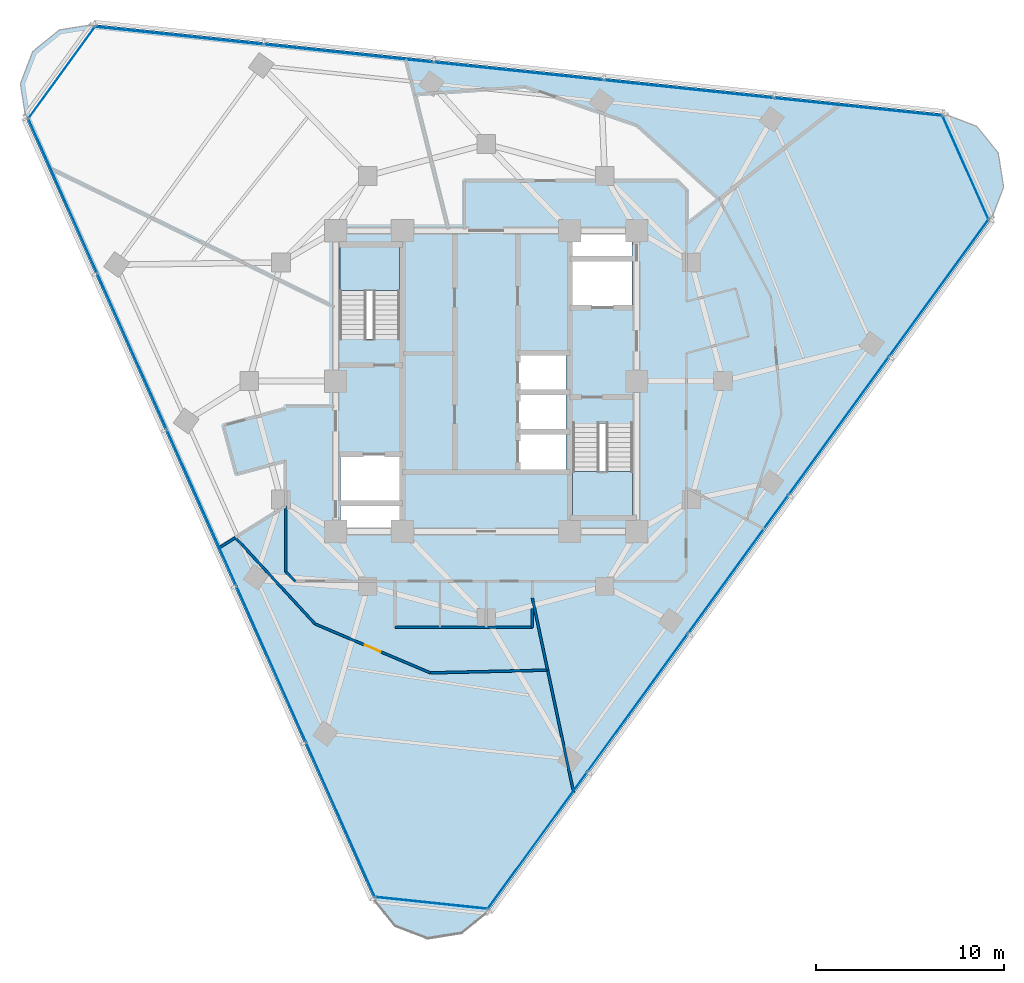
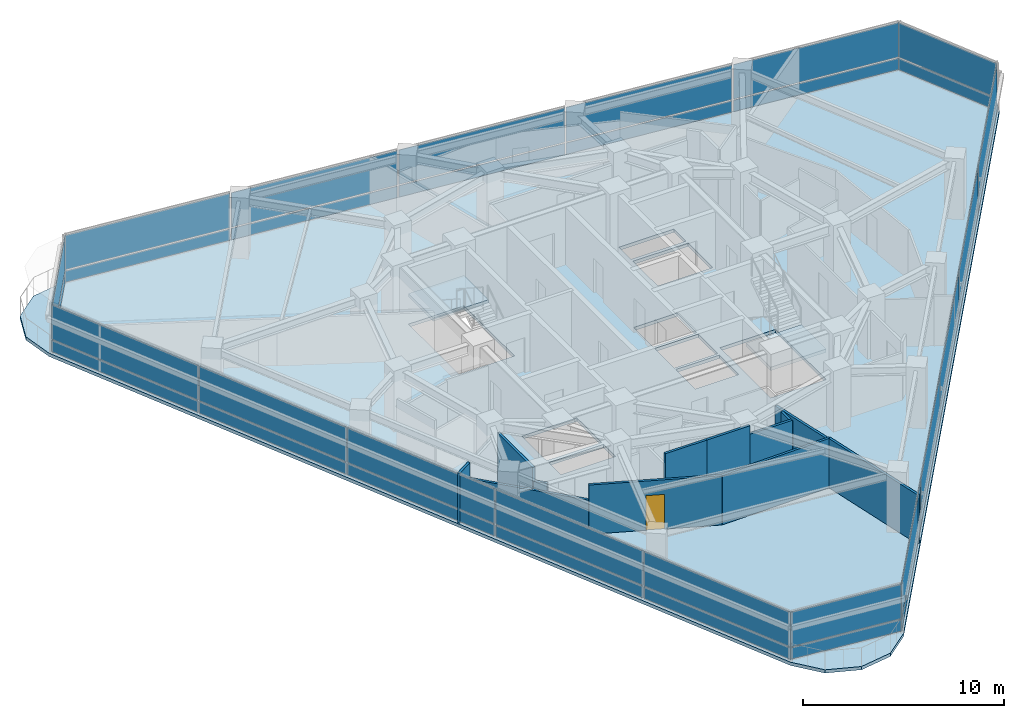
# One storey, part 7 of 14: 36 plates, 12 walls, 3 slabs, 1 door, 1 opening, 8 elements without a shape of their own.
"""IFC4 building model written with IfcOpenShell, lengths in metres."""

from ifc_helpers import new_model, si_unit, direction, frame, frame_2d, origin, origin_2d, place, context, subcontext, project, spatial, polyline, rectangle, outline, extrude, material, layer, layer_set, type_object, element, fill, aggregate, save


model = new_model("IFC4")

# Units and contexts
model_context = context("Model", 3, precision=1e-05, world=origin(), true_north=direction((0.0, 1.0)))
body_context = subcontext(model_context, "Body", "Model", "MODEL_VIEW")
ifc_project = project(units=[si_unit("LENGTHUNIT", "METRE"), si_unit("AREAUNIT", "SQUARE_METRE"), si_unit("VOLUMEUNIT", "CUBIC_METRE"), si_unit("PLANEANGLEUNIT", "RADIAN"), si_unit("MASSUNIT", "GRAM", prefix="KILO")], contexts=[model_context])

# Site, building, storey
site_placement = place(None, origin())
site = spatial("IfcSite", under=ifc_project, at=site_placement, CompositionType="ELEMENT")
building_placement = place(site_placement, origin())
building = spatial("IfcBuilding", under=site, at=building_placement, Name="Terralouvre Media Tower", CompositionType="ELEMENT")
storey_placement = place(building_placement, frame((0.0, 0.0, 222.60009765625)))
storey = spatial("IfcBuildingStorey", under=building, at=storey_placement, Name="L57", CompositionType="ELEMENT", Elevation=222.60009765625)

# Slab
ifc_material_1 = material(Name="Concrete C40/50", Category="concrete")
ifc_layer_1 = layer(ifc_material_1, 0.199951171875, Name="Composite Tower Floor Slab S-TYP200")
ifc_layer_set_1 = layer_set([ifc_layer_1], Name="Concrete C40/50")
slab_type_1 = type_object("IfcSlabType", Name="Composite Tower Floor Slab S-TYP200", PredefinedType="FLOOR", material=ifc_layer_set_1)
slab_1_placement = place(storey_placement, frame((0.0, 0.0, -0.2001953125), z_axis=(0.0, 0.0, 1.0), x_axis=(0.587785252292, 0.809016994375, 0.0)))
element("IfcSlab", 1, at=slab_1_placement, inside=storey, type_object=slab_type_1, Name="L57 Structural Floor Slab", PredefinedType="FLOOR", context=body_context, shape_type="SweptSolid", body=[
    extrude(outline(polyline([(-25.824462890625, -11.359619140625), (-26.300048828125, -13.134765625), (-25.824462890625, -14.90966796875), (-24.52490234375, -16.209228515625), (-22.75, -16.684814453125), (22.75, -16.684814453125), (24.52490234375, -16.209228515625), (25.824462890625, -14.90966796875), (26.300048828125, -13.134765625), (25.824462890625, -11.359619140625), (3.074462890625, 28.04443359375), (1.77490234375, 29.34375), (0.0, 29.8193359375), (-1.77490234375, 29.34375), (-3.074462890625, 28.04443359375), (-25.824462890625, -11.359619140625)]), holes=[polyline([(-8.043212890625, -0.157958984375), (-9.01416015625, -0.86328125), (-10.86572265625, 1.68505859375), (-9.894775390625, 2.390380859375), (-8.043212890625, -0.157958984375)]), polyline([(-5.8994140625, 1.399658203125), (-7.881591796875, -0.040283203125), (-9.733154296875, 2.508056640625), (-7.7509765625, 3.9482421875), (-5.8994140625, 1.399658203125)]), polyline([(-3.169677734375, -7.98876953125), (0.887451171875, -5.041015625), (2.7568359375, -7.61376953125), (-1.300537109375, -10.5615234375), (-3.169677734375, -7.98876953125)]), polyline([(0.2490234375, -5.072265625), (-1.320556640625, -6.212646484375), (-2.7900390625, -4.190185546875), (-1.220458984375, -3.0498046875), (0.2490234375, -5.072265625)]), polyline([(1.947998046875, -3.838134765625), (0.37841796875, -4.978271484375), (-1.091064453125, -2.955810546875), (0.478515625, -1.8154296875), (1.947998046875, -3.838134765625)]), polyline([(3.64697265625, -2.603759765625), (2.077392578125, -3.743896484375), (0.60791015625, -1.721435546875), (2.177490234375, -0.5810546875), (3.64697265625, -2.603759765625)]), polyline([(3.169677734375, 7.98876953125), (-0.887451171875, 5.041015625), (-2.7568359375, 7.61376953125), (1.300537109375, 10.5615234375), (3.169677734375, 7.98876953125)]), polyline([(7.7509765625, -3.9482421875), (5.8994140625, -1.399658203125), (7.881591796875, 0.040283203125), (9.733154296875, -2.508056640625), (7.7509765625, -3.9482421875)]), polyline([(9.894775390625, -2.390380859375), (8.043212890625, 0.157958984375), (9.01416015625, 0.86328125), (10.86572265625, -1.68505859375), (9.894775390625, -2.390380859375)])]), origin(), (0.0, 0.0, 1.0), 0.2001953125),
])

# Stair, slab
ifc_material_2 = material(Name="Concrete C45/55", Category="concrete")
stair_type_1 = type_object("IfcStairType", Name="Dogleg Stair Assembly ST-01", PredefinedType="HALF_TURN_STAIR", material=ifc_material_2)
stair_1_placement = place(storey_placement, origin())
stair_1 = element("IfcStair", 2, at=stair_1_placement, inside=storey, type_object=stair_type_1, Name="L57 Core Pressurised Exit Stair ST-01", PredefinedType="HALF_TURN_STAIR")
ifc_material_3 = material(Name="Concrete C45/55", Category="concrete")
ifc_layer_2 = layer(ifc_material_3, 0.199951171875, Name="Reinforced Concrete Stair Half-Landing SL-LD1")
ifc_layer_set_2 = layer_set([ifc_layer_2], Name="Concrete C45/55")
slab_type_2 = type_object("IfcSlabType", Name="Reinforced Concrete Stair Half-Landing SL-LD1", PredefinedType="LANDING", material=ifc_layer_set_2)
slab_2_placement = place(storey_placement, frame((0.0, 0.0, 1.64990234375)))
slab_2 = element("IfcSlab", 3, at=slab_2_placement, type_object=slab_type_2, Name="ST-01 landing 1", PredefinedType="LANDING", context=body_context, shape_type="SweptSolid", body=[
    extrude(outline(polyline([(-4.60009765625, 4.820068359375), (-4.60009765625, 7.260009765625), (-7.780029296875, 7.260009765625), (-7.780029296875, 4.820068359375), (-4.60009765625, 4.820068359375)])), origin(), (0.0, 0.0, 1.0), 0.199951171875),
])
aggregate(stair_1, [slab_2])

ifc_material_4 = material(Name="Concrete C45/55", Category="concrete")
stair_type_2 = type_object("IfcStairType", Name="Dogleg Stair Assembly ST-02", PredefinedType="HALF_TURN_STAIR", material=ifc_material_4)
stair_2_placement = place(storey_placement, origin())
stair_2 = element("IfcStair", 4, at=stair_2_placement, inside=storey, type_object=stair_type_2, Name="L57 Core Pressurised Exit Stair ST-02", PredefinedType="HALF_TURN_STAIR")
slab_3_placement = place(storey_placement, frame((0.0, 0.0, 1.64990234375)))
slab_3 = element("IfcSlab", 5, at=slab_3_placement, type_object=slab_type_2, Name="ST-02 landing 1", PredefinedType="LANDING", context=body_context, shape_type="SweptSolid", body=[
    extrude(outline(polyline([(4.60009765625, -4.820068359375), (4.60009765625, -7.260009765625), (7.780029296875, -7.260009765625), (7.780029296875, -4.820068359375), (4.60009765625, -4.820068359375)])), origin(), (0.0, 0.0, 1.0), 0.199951171875),
])
aggregate(stair_2, [slab_3])

# Curtain wall, plates
ifc_material_5 = material(Name="Low-iron laminated double glazing with solar-control coating", Category="glass")
ifc_layer_3 = layer(ifc_material_5, 0.1650390625, Name="Rounded Wind-Corner Curved Glazing CW-04")
ifc_layer_set_3 = layer_set([ifc_layer_3], Name="Low-iron laminated double glazing with solar-control coating")
curtain_wall_type_1 = type_object("IfcCurtainWallType", Name="Rounded Wind-Corner Curved Glazing CW-04", PredefinedType="NOTDEFINED", material=ifc_layer_set_3)
curtain_wall_1_placement = place(storey_placement, origin())
curtain_wall_1 = element("IfcCurtainWall", 6, at=curtain_wall_1_placement, inside=storey, type_object=curtain_wall_type_1, Name="L57 Rounded Wind-Corner Curtain Wall C0", PredefinedType="NOTDEFINED")
ifc_material_6 = material(Name="Low-iron laminated double glazing with solar-control coating", Category="glass")
ifc_layer_4 = layer(ifc_material_6, 0.0400390625, Name="Rounded Corner Laminated Vision Panel CWP-03")
ifc_layer_set_4 = layer_set([ifc_layer_4], Name="Low-iron laminated double glazing with solar-control coating")
plate_type_1 = type_object("IfcPlateType", Name="Rounded Corner Laminated Vision Panel CWP-03", PredefinedType="CURTAIN_PANEL", material=ifc_layer_set_4)
plate_1_placement = place(storey_placement, frame((-2.916748046875, -27.75146484375, 0.074951171875), z_axis=(0.0, 0.0, 1.0), x_axis=(0.994521944551, -0.104527995322, 0.0)))
plate_1 = element("IfcPlate", 7, at=plate_1_placement, type_object=plate_type_1, Name="CW-04 panel 1.1", PredefinedType="CURTAIN_PANEL", context=body_context, shape_type="SweptSolid", body=[
    extrude(rectangle(XDim=5.998779296875, YDim=0.035888671875, at=origin_2d()), origin(), (0.0, 0.0, 1.0), 0.6875),
])
plate_2_placement = place(storey_placement, frame((-2.916748046875, -27.75146484375, 0.83740234375), z_axis=(0.0, 0.0, 1.0), x_axis=(0.994521944551, -0.104527995322, 0.0)))
plate_2 = element("IfcPlate", 8, at=plate_2_placement, type_object=plate_type_1, Name="CW-04 panel 1.2", PredefinedType="CURTAIN_PANEL", context=body_context, shape_type="SweptSolid", body=[
    extrude(rectangle(XDim=5.998779296875, YDim=0.035888671875, at=origin_2d()), origin(), (0.0, 0.0, 1.0), 2.08740234375),
])
aggregate(curtain_wall_1, [plate_1, plate_2])

curtain_wall_2_placement = place(storey_placement, origin())
curtain_wall_2 = element("IfcCurtainWall", 9, at=curtain_wall_2_placement, inside=storey, type_object=curtain_wall_type_1, Name="L57 Rounded Wind-Corner Curtain Wall C1", PredefinedType="NOTDEFINED")
plate_3_placement = place(storey_placement, frame((25.491943359375, 11.349853515625, 0.074951171875), z_axis=(0.0, 0.0, 1.0), x_axis=(-0.406737441315, 0.913545102243, 0.0)))
plate_3 = element("IfcPlate", 10, at=plate_3_placement, type_object=plate_type_1, Name="CW-04 panel 1.1", PredefinedType="CURTAIN_PANEL", context=body_context, shape_type="SweptSolid", body=[
    extrude(rectangle(XDim=5.998779296875, YDim=0.035888671875, at=origin_2d()), origin(), (0.0, 0.0, 1.0), 0.6875),
])
plate_4_placement = place(storey_placement, frame((25.491943359375, 11.349853515625, 0.83740234375), z_axis=(0.0, 0.0, 1.0), x_axis=(-0.406737441315, 0.913545102243, 0.0)))
plate_4 = element("IfcPlate", 11, at=plate_4_placement, type_object=plate_type_1, Name="CW-04 panel 1.2", PredefinedType="CURTAIN_PANEL", context=body_context, shape_type="SweptSolid", body=[
    extrude(rectangle(XDim=5.998779296875, YDim=0.035888671875, at=origin_2d()), origin(), (0.0, 0.0, 1.0), 2.08740234375),
])
aggregate(curtain_wall_2, [plate_3, plate_4])

curtain_wall_3_placement = place(storey_placement, origin())
curtain_wall_3 = element("IfcCurtainWall", 12, at=curtain_wall_3_placement, inside=storey, type_object=curtain_wall_type_1, Name="L57 Rounded Wind-Corner Curtain Wall C2", PredefinedType="NOTDEFINED")
plate_5_placement = place(storey_placement, frame((-22.5751953125, 16.40185546875, 0.074951171875), z_axis=(0.0, 0.0, 1.0), x_axis=(-0.58778588998, -0.809016531067, 0.0)))
plate_5 = element("IfcPlate", 13, at=plate_5_placement, type_object=plate_type_1, Name="CW-04 panel 1.1", PredefinedType="CURTAIN_PANEL", context=body_context, shape_type="SweptSolid", body=[
    extrude(rectangle(XDim=5.998779296875, YDim=0.035888671875, at=origin_2d()), origin(), (0.0, 0.0, 1.0), 0.6875),
])
plate_6_placement = place(storey_placement, frame((-22.5751953125, 16.40185546875, 0.83740234375), z_axis=(0.0, 0.0, 1.0), x_axis=(-0.58778588998, -0.809016531067, 0.0)))
plate_6 = element("IfcPlate", 14, at=plate_6_placement, type_object=plate_type_1, Name="CW-04 panel 1.2", PredefinedType="CURTAIN_PANEL", context=body_context, shape_type="SweptSolid", body=[
    extrude(rectangle(XDim=5.998779296875, YDim=0.035888671875, at=origin_2d()), origin(), (0.0, 0.0, 1.0), 2.08740234375),
])
aggregate(curtain_wall_3, [plate_5, plate_6])

ifc_material_7 = material(Name="Low-iron laminated double glazing with solar-control coating", Category="glass")
ifc_layer_5 = layer(ifc_material_7, 0.1650390625, Name="Upper Executive Tower Curtain Wall CW-05")
ifc_layer_set_5 = layer_set([ifc_layer_5], Name="Low-iron laminated double glazing with solar-control coating")
curtain_wall_type_2 = type_object("IfcCurtainWallType", Name="Upper Executive Tower Curtain Wall CW-05", PredefinedType="NOTDEFINED", material=ifc_layer_set_5)
curtain_wall_4_placement = place(storey_placement, origin())
curtain_wall_4 = element("IfcCurtainWall", 15, at=curtain_wall_4_placement, inside=storey, type_object=curtain_wall_type_2, Name="L57 Facade Curtain Wall F0", PredefinedType="NOTDEFINED")
ifc_material_8 = material(Name="Low-iron laminated double glazing with solar-control coating", Category="glass")
ifc_layer_6 = layer(ifc_material_8, 0.035888671875, Name="Vision Double-Glazed Unit CWP-01")
ifc_layer_set_6 = layer_set([ifc_layer_6], Name="Low-iron laminated double glazing with solar-control coating")
plate_type_2 = type_object("IfcPlateType", Name="Vision Double-Glazed Unit CWP-01", PredefinedType="CURTAIN_PANEL", material=ifc_layer_set_6)
plate_7_placement = place(storey_placement, frame((2.71435546875, -24.4453125, 0.074951171875), z_axis=(0.0, 0.0, 1.0), x_axis=(0.587785300879, 0.809016959074, 0.0)))
plate_7 = element("IfcPlate", 16, at=plate_7_placement, type_object=plate_type_2, Name="CW-05 panel 1.1", PredefinedType="CURTAIN_PANEL", context=body_context, shape_type="SweptSolid", body=[
    extrude(rectangle(XDim=8.987548828125, YDim=0.035888671875, at=origin_2d()), origin(), (0.0, 0.0, 1.0), 0.6875),
])
plate_8_placement = place(storey_placement, frame((2.71435546875, -24.4453125, 0.83740234375), z_axis=(0.0, 0.0, 1.0), x_axis=(0.587785300879, 0.809016959074, 0.0)))
plate_8 = element("IfcPlate", 17, at=plate_8_placement, type_object=plate_type_2, Name="CW-05 panel 1.2", PredefinedType="CURTAIN_PANEL", context=body_context, shape_type="SweptSolid", body=[
    extrude(rectangle(XDim=8.987548828125, YDim=0.035888671875, at=origin_2d()), origin(), (0.0, 0.0, 1.0), 2.08740234375),
])
plate_9_placement = place(storey_placement, frame((8.05224609375, -17.0986328125, 0.074951171875), z_axis=(0.0, 0.0, 1.0), x_axis=(0.587785300879, 0.809016959074, 0.0)))
plate_9 = element("IfcPlate", 18, at=plate_9_placement, type_object=plate_type_2, Name="CW-05 panel 2.1", PredefinedType="CURTAIN_PANEL", context=body_context, shape_type="SweptSolid", body=[
    extrude(rectangle(XDim=9.02490234375, YDim=0.035888671875, at=origin_2d()), origin(), (0.0, 0.0, 1.0), 0.6875),
])
plate_10_placement = place(storey_placement, frame((8.05224609375, -17.0986328125, 0.83740234375), z_axis=(0.0, 0.0, 1.0), x_axis=(0.587785300879, 0.809016959074, 0.0)))
plate_10 = element("IfcPlate", 19, at=plate_10_placement, type_object=plate_type_2, Name="CW-05 panel 2.2", PredefinedType="CURTAIN_PANEL", context=body_context, shape_type="SweptSolid", body=[
    extrude(rectangle(XDim=9.02490234375, YDim=0.035888671875, at=origin_2d()), origin(), (0.0, 0.0, 1.0), 2.08740234375),
])
plate_11_placement = place(storey_placement, frame((13.401123046875, -9.736572265625, 0.074951171875), z_axis=(0.0, 0.0, 1.0), x_axis=(0.587785300879, 0.809016959074, 0.0)))
plate_11 = element("IfcPlate", 20, at=plate_11_placement, type_object=plate_type_2, Name="CW-05 panel 3.1", PredefinedType="CURTAIN_PANEL", context=body_context, shape_type="SweptSolid", body=[
    extrude(rectangle(XDim=9.02490234375, YDim=0.035888671875, at=origin_2d()), origin(), (0.0, 0.0, 1.0), 0.6875),
])
plate_12_placement = place(storey_placement, frame((13.401123046875, -9.736572265625, 0.83740234375), z_axis=(0.0, 0.0, 1.0), x_axis=(0.587785300879, 0.809016959074, 0.0)))
plate_12 = element("IfcPlate", 21, at=plate_12_placement, type_object=plate_type_2, Name="CW-05 panel 3.2", PredefinedType="CURTAIN_PANEL", context=body_context, shape_type="SweptSolid", body=[
    extrude(rectangle(XDim=9.02490234375, YDim=0.035888671875, at=origin_2d()), origin(), (0.0, 0.0, 1.0), 2.08740234375),
])
plate_13_placement = place(storey_placement, frame((18.75, -2.37451171875, 0.074951171875), z_axis=(0.0, 0.0, 1.0), x_axis=(0.587785300879, 0.809016959074, 0.0)))
plate_13 = element("IfcPlate", 22, at=plate_13_placement, type_object=plate_type_2, Name="CW-05 panel 4.1", PredefinedType="CURTAIN_PANEL", context=body_context, shape_type="SweptSolid", body=[
    extrude(rectangle(XDim=9.02490234375, YDim=0.035888671875, at=origin_2d()), origin(), (0.0, 0.0, 1.0), 0.6875),
])
plate_14_placement = place(storey_placement, frame((18.75, -2.37451171875, 0.83740234375), z_axis=(0.0, 0.0, 1.0), x_axis=(0.587785300879, 0.809016959074, 0.0)))
plate_14 = element("IfcPlate", 23, at=plate_14_placement, type_object=plate_type_2, Name="CW-05 panel 4.2", PredefinedType="CURTAIN_PANEL", context=body_context, shape_type="SweptSolid", body=[
    extrude(rectangle(XDim=9.02490234375, YDim=0.035888671875, at=origin_2d()), origin(), (0.0, 0.0, 1.0), 2.08740234375),
])
plate_15_placement = place(storey_placement, frame((24.087890625, 4.972412109375, 0.074951171875), z_axis=(0.0, 0.0, 1.0), x_axis=(0.587785300879, 0.809016959074, 0.0)))
plate_15 = element("IfcPlate", 24, at=plate_15_placement, type_object=plate_type_2, Name="CW-05 panel 5.1", PredefinedType="CURTAIN_PANEL", context=body_context, shape_type="SweptSolid", body=[
    extrude(rectangle(XDim=8.987548828125, YDim=0.035888671875, at=origin_2d()), origin(), (0.0, 0.0, 1.0), 0.6875),
])
plate_16_placement = place(storey_placement, frame((24.087890625, 4.972412109375, 0.83740234375), z_axis=(0.0, 0.0, 1.0), x_axis=(0.587785300879, 0.809016959074, 0.0)))
plate_16 = element("IfcPlate", 25, at=plate_16_placement, type_object=plate_type_2, Name="CW-05 panel 5.2", PredefinedType="CURTAIN_PANEL", context=body_context, shape_type="SweptSolid", body=[
    extrude(rectangle(XDim=8.987548828125, YDim=0.035888671875, at=origin_2d()), origin(), (0.0, 0.0, 1.0), 2.08740234375),
])
aggregate(curtain_wall_4, [plate_7, plate_8, plate_9, plate_10, plate_11, plate_12, plate_13, plate_14, plate_15, plate_16])

curtain_wall_5_placement = place(storey_placement, origin())
curtain_wall_5 = element("IfcCurtainWall", 26, at=curtain_wall_5_placement, inside=storey, type_object=curtain_wall_type_2, Name="L57 Facade Curtain Wall F1", PredefinedType="NOTDEFINED")
plate_17_placement = place(storey_placement, frame((19.813232421875, 14.573486328125, 0.074951171875), z_axis=(0.0, 0.0, 1.0), x_axis=(-0.994521885028, 0.104528561651, 0.0)))
plate_17 = element("IfcPlate", 27, at=plate_17_placement, type_object=plate_type_2, Name="CW-05 panel 1.1", PredefinedType="CURTAIN_PANEL", context=body_context, shape_type="SweptSolid", body=[
    extrude(rectangle(XDim=8.987548828125, YDim=0.035888671875, at=origin_2d()), origin(), (0.0, 0.0, 1.0), 0.6875),
])
plate_18_placement = place(storey_placement, frame((19.813232421875, 14.573486328125, 0.83740234375), z_axis=(0.0, 0.0, 1.0), x_axis=(-0.994521885028, 0.104528561651, 0.0)))
plate_18 = element("IfcPlate", 28, at=plate_18_placement, type_object=plate_type_2, Name="CW-05 panel 1.2", PredefinedType="CURTAIN_PANEL", context=body_context, shape_type="SweptSolid", body=[
    extrude(rectangle(XDim=8.987548828125, YDim=0.035888671875, at=origin_2d()), origin(), (0.0, 0.0, 1.0), 2.08740234375),
])
plate_19_placement = place(storey_placement, frame((10.78173828125, 15.522705078125, 0.074951171875), z_axis=(0.0, 0.0, 1.0), x_axis=(-0.994521885028, 0.104528561651, 0.0)))
plate_19 = element("IfcPlate", 29, at=plate_19_placement, type_object=plate_type_2, Name="CW-05 panel 2.1", PredefinedType="CURTAIN_PANEL", context=body_context, shape_type="SweptSolid", body=[
    extrude(rectangle(XDim=9.02490234375, YDim=0.035888671875, at=origin_2d()), origin(), (0.0, 0.0, 1.0), 0.6875),
])
plate_20_placement = place(storey_placement, frame((10.78173828125, 15.522705078125, 0.83740234375), z_axis=(0.0, 0.0, 1.0), x_axis=(-0.994521885028, 0.104528561651, 0.0)))
plate_20 = element("IfcPlate", 30, at=plate_20_placement, type_object=plate_type_2, Name="CW-05 panel 2.2", PredefinedType="CURTAIN_PANEL", context=body_context, shape_type="SweptSolid", body=[
    extrude(rectangle(XDim=9.02490234375, YDim=0.035888671875, at=origin_2d()), origin(), (0.0, 0.0, 1.0), 2.08740234375),
])
plate_21_placement = place(storey_placement, frame((1.7314453125, 16.473876953125, 0.074951171875), z_axis=(0.0, 0.0, 1.0), x_axis=(-0.994521885028, 0.104528561651, 0.0)))
plate_21 = element("IfcPlate", 31, at=plate_21_placement, type_object=plate_type_2, Name="CW-05 panel 3.1", PredefinedType="CURTAIN_PANEL", context=body_context, shape_type="SweptSolid", body=[
    extrude(rectangle(XDim=9.02490234375, YDim=0.035888671875, at=origin_2d()), origin(), (0.0, 0.0, 1.0), 0.6875),
])
plate_22_placement = place(storey_placement, frame((1.7314453125, 16.473876953125, 0.83740234375), z_axis=(0.0, 0.0, 1.0), x_axis=(-0.994521885028, 0.104528561651, 0.0)))
plate_22 = element("IfcPlate", 32, at=plate_22_placement, type_object=plate_type_2, Name="CW-05 panel 3.2", PredefinedType="CURTAIN_PANEL", context=body_context, shape_type="SweptSolid", body=[
    extrude(rectangle(XDim=9.02490234375, YDim=0.035888671875, at=origin_2d()), origin(), (0.0, 0.0, 1.0), 2.08740234375),
])
plate_23_placement = place(storey_placement, frame((-7.318603515625, 17.42529296875, 0.074951171875), z_axis=(0.0, 0.0, 1.0), x_axis=(-0.994521885028, 0.104528561651, 0.0)))
plate_23 = element("IfcPlate", 33, at=plate_23_placement, type_object=plate_type_2, Name="CW-05 panel 4.1", PredefinedType="CURTAIN_PANEL", context=body_context, shape_type="SweptSolid", body=[
    extrude(rectangle(XDim=9.02490234375, YDim=0.035888671875, at=origin_2d()), origin(), (0.0, 0.0, 1.0), 0.6875),
])
plate_24_placement = place(storey_placement, frame((-7.318603515625, 17.42529296875, 0.83740234375), z_axis=(0.0, 0.0, 1.0), x_axis=(-0.994521885028, 0.104528561651, 0.0)))
plate_24 = element("IfcPlate", 34, at=plate_24_placement, type_object=plate_type_2, Name="CW-05 panel 4.2", PredefinedType="CURTAIN_PANEL", context=body_context, shape_type="SweptSolid", body=[
    extrude(rectangle(XDim=9.02490234375, YDim=0.035888671875, at=origin_2d()), origin(), (0.0, 0.0, 1.0), 2.08740234375),
])
plate_25_placement = place(storey_placement, frame((-16.35009765625, 18.37451171875, 0.074951171875), z_axis=(0.0, 0.0, 1.0), x_axis=(-0.994521885028, 0.104528561651, 0.0)))
plate_25 = element("IfcPlate", 35, at=plate_25_placement, type_object=plate_type_2, Name="CW-05 panel 5.1", PredefinedType="CURTAIN_PANEL", context=body_context, shape_type="SweptSolid", body=[
    extrude(rectangle(XDim=8.987548828125, YDim=0.035888671875, at=origin_2d()), origin(), (0.0, 0.0, 1.0), 0.6875),
])
plate_26_placement = place(storey_placement, frame((-16.35009765625, 18.37451171875, 0.83740234375), z_axis=(0.0, 0.0, 1.0), x_axis=(-0.994521885028, 0.104528561651, 0.0)))
plate_26 = element("IfcPlate", 36, at=plate_26_placement, type_object=plate_type_2, Name="CW-05 panel 5.2", PredefinedType="CURTAIN_PANEL", context=body_context, shape_type="SweptSolid", body=[
    extrude(rectangle(XDim=8.987548828125, YDim=0.035888671875, at=origin_2d()), origin(), (0.0, 0.0, 1.0), 2.08740234375),
])
aggregate(curtain_wall_5, [plate_17, plate_18, plate_19, plate_20, plate_21, plate_22, plate_23, plate_24, plate_25, plate_26])

curtain_wall_6_placement = place(storey_placement, origin())
curtain_wall_6 = element("IfcCurtainWall", 37, at=curtain_wall_6_placement, inside=storey, type_object=curtain_wall_type_2, Name="L57 Facade Curtain Wall F2", PredefinedType="NOTDEFINED")
plate_27_placement = place(storey_placement, frame((-22.527587890625, 9.871826171875, 0.074951171875), z_axis=(0.0, 0.0, 1.0), x_axis=(0.406736679636, -0.913545441365, 0.0)))
plate_27 = element("IfcPlate", 38, at=plate_27_placement, type_object=plate_type_2, Name="CW-05 panel 1.1", PredefinedType="CURTAIN_PANEL", context=body_context, shape_type="SweptSolid", body=[
    extrude(rectangle(XDim=8.987548828125, YDim=0.035888671875, at=origin_2d()), origin(), (0.0, 0.0, 1.0), 0.6875),
])
plate_28_placement = place(storey_placement, frame((-22.527587890625, 9.871826171875, 0.83740234375), z_axis=(0.0, 0.0, 1.0), x_axis=(0.406736679636, -0.913545441365, 0.0)))
plate_28 = element("IfcPlate", 39, at=plate_28_placement, type_object=plate_type_2, Name="CW-05 panel 1.2", PredefinedType="CURTAIN_PANEL", context=body_context, shape_type="SweptSolid", body=[
    extrude(rectangle(XDim=8.987548828125, YDim=0.035888671875, at=origin_2d()), origin(), (0.0, 0.0, 1.0), 2.08740234375),
])
plate_29_placement = place(storey_placement, frame((-18.833984375, 1.57568359375, 0.074951171875), z_axis=(0.0, 0.0, 1.0), x_axis=(0.406736679636, -0.913545441365, 0.0)))
plate_29 = element("IfcPlate", 40, at=plate_29_placement, type_object=plate_type_2, Name="CW-05 panel 2.1", PredefinedType="CURTAIN_PANEL", context=body_context, shape_type="SweptSolid", body=[
    extrude(rectangle(XDim=9.02490234375, YDim=0.035888671875, at=origin_2d()), origin(), (0.0, 0.0, 1.0), 0.6875),
])
plate_30_placement = place(storey_placement, frame((-18.833984375, 1.57568359375, 0.83740234375), z_axis=(0.0, 0.0, 1.0), x_axis=(0.406736679636, -0.913545441365, 0.0)))
plate_30 = element("IfcPlate", 41, at=plate_30_placement, type_object=plate_type_2, Name="CW-05 panel 2.2", PredefinedType="CURTAIN_PANEL", context=body_context, shape_type="SweptSolid", body=[
    extrude(rectangle(XDim=9.02490234375, YDim=0.035888671875, at=origin_2d()), origin(), (0.0, 0.0, 1.0), 2.08740234375),
])
plate_31_placement = place(storey_placement, frame((-15.132568359375, -6.737548828125, 0.074951171875), z_axis=(0.0, 0.0, 1.0), x_axis=(0.406736679636, -0.913545441365, 0.0)))
plate_31 = element("IfcPlate", 42, at=plate_31_placement, type_object=plate_type_2, Name="CW-05 panel 3.1", PredefinedType="CURTAIN_PANEL", context=body_context, shape_type="SweptSolid", body=[
    extrude(rectangle(XDim=9.02490234375, YDim=0.035888671875, at=origin_2d()), origin(), (0.0, 0.0, 1.0), 0.6875),
])
plate_32_placement = place(storey_placement, frame((-15.132568359375, -6.737548828125, 0.83740234375), z_axis=(0.0, 0.0, 1.0), x_axis=(0.406736679636, -0.913545441365, 0.0)))
plate_32 = element("IfcPlate", 43, at=plate_32_placement, type_object=plate_type_2, Name="CW-05 panel 3.2", PredefinedType="CURTAIN_PANEL", context=body_context, shape_type="SweptSolid", body=[
    extrude(rectangle(XDim=9.02490234375, YDim=0.035888671875, at=origin_2d()), origin(), (0.0, 0.0, 1.0), 2.08740234375),
])
plate_33_placement = place(storey_placement, frame((-11.431396484375, -15.05078125, 0.074951171875), z_axis=(0.0, 0.0, 1.0), x_axis=(0.406736679636, -0.913545441365, 0.0)))
plate_33 = element("IfcPlate", 44, at=plate_33_placement, type_object=plate_type_2, Name="CW-05 panel 4.1", PredefinedType="CURTAIN_PANEL", context=body_context, shape_type="SweptSolid", body=[
    extrude(rectangle(XDim=9.02490234375, YDim=0.035888671875, at=origin_2d()), origin(), (0.0, 0.0, 1.0), 0.6875),
])
plate_34_placement = place(storey_placement, frame((-11.431396484375, -15.05078125, 0.83740234375), z_axis=(0.0, 0.0, 1.0), x_axis=(0.406736679636, -0.913545441365, 0.0)))
plate_34 = element("IfcPlate", 45, at=plate_34_placement, type_object=plate_type_2, Name="CW-05 panel 4.2", PredefinedType="CURTAIN_PANEL", context=body_context, shape_type="SweptSolid", body=[
    extrude(rectangle(XDim=9.02490234375, YDim=0.035888671875, at=origin_2d()), origin(), (0.0, 0.0, 1.0), 2.08740234375),
])
plate_35_placement = place(storey_placement, frame((-7.737548828125, -23.346923828125, 0.074951171875), z_axis=(0.0, 0.0, 1.0), x_axis=(0.406736679636, -0.913545441365, 0.0)))
plate_35 = element("IfcPlate", 46, at=plate_35_placement, type_object=plate_type_2, Name="CW-05 panel 5.1", PredefinedType="CURTAIN_PANEL", context=body_context, shape_type="SweptSolid", body=[
    extrude(rectangle(XDim=8.987548828125, YDim=0.035888671875, at=origin_2d()), origin(), (0.0, 0.0, 1.0), 0.6875),
])
plate_36_placement = place(storey_placement, frame((-7.737548828125, -23.346923828125, 0.83740234375), z_axis=(0.0, 0.0, 1.0), x_axis=(0.406736679636, -0.913545441365, 0.0)))
plate_36 = element("IfcPlate", 47, at=plate_36_placement, type_object=plate_type_2, Name="CW-05 panel 5.2", PredefinedType="CURTAIN_PANEL", context=body_context, shape_type="SweptSolid", body=[
    extrude(rectangle(XDim=8.987548828125, YDim=0.035888671875, at=origin_2d()), origin(), (0.0, 0.0, 1.0), 2.08740234375),
])
aggregate(curtain_wall_6, [plate_27, plate_28, plate_29, plate_30, plate_31, plate_32, plate_33, plate_34, plate_35, plate_36])

# Walls
ifc_material_9 = material(Name="Fire-rated gypsum board drywall partition")
ifc_layer_7 = layer(ifc_material_9, 0.135009765625, Name="Newsroom Acoustic Partition PT-135")
ifc_layer_set_7 = layer_set([ifc_layer_7], Name="Fire-rated gypsum board drywall partition")
wall_type = type_object("IfcWallType", Name="Newsroom Acoustic Partition PT-135", PredefinedType="PARTITIONING", material=ifc_layer_set_7)
wall_1_placement = place(storey_placement, frame((-10.64990234375, -6.655029296875, 0.0), z_axis=(0.0, 0.0, 1.0), x_axis=(0.0, -1.0, 0.0)))
element("IfcWall", 48, at=wall_1_placement, inside=storey, type_object=wall_type, Name="L57 Interior Partition 011", PredefinedType="PARTITIONING", context=body_context, shape_type="SweptSolid", body=[
    extrude(rectangle(XDim=3.494873046875, YDim=0.135009765625, at=frame_2d((1.74755859375, 0.0))), origin(), (0.0, 0.0, 1.0), 2.885009765625),
])
wall_2_placement = place(storey_placement, frame((-10.64990234375, -10.14990234375, 0.0), z_axis=(0.0, 0.0, 1.0), x_axis=(0.707106781187, -0.707106781187, 0.0)))
element("IfcWall", 49, at=wall_2_placement, inside=storey, type_object=wall_type, Name="L57 Interior Partition 012", PredefinedType="PARTITIONING", context=body_context, shape_type="SweptSolid", body=[
    extrude(rectangle(XDim=0.70703125, YDim=0.135009765625, at=frame_2d((0.353515625, 0.0))), origin(), (0.0, 0.0, 1.0), 2.074951171875),
])
wall_3_placement = place(storey_placement, frame((-14.22021484375, -8.88525390625, 0.0), z_axis=(0.0, 0.0, 1.0), x_axis=(0.848337621773, 0.529455644493, 0.0)))
element("IfcWall", 50, at=wall_3_placement, inside=storey, type_object=wall_type, Name="L57 Interior Partition 025", PredefinedType="PARTITIONING", context=body_context, shape_type="SweptSolid", body=[
    extrude(rectangle(XDim=1.050537109375, YDim=0.135009765625, at=frame_2d((0.525390625, 0.0))), origin(), (0.0, 0.0, 1.0), 3.02490234375),
])
wall_4_placement = place(storey_placement, frame((-2.449951171875, -13.10009765625, 0.0), z_axis=(0.0, 0.0, 1.0), x_axis=(-1.0, 0.0, 0.0)))
element("IfcWall", 51, at=wall_4_placement, inside=storey, type_object=wall_type, Name="L57 Interior Partition 032", PredefinedType="PARTITIONING", context=body_context, shape_type="SweptSolid", body=[
    extrude(rectangle(XDim=2.400146484375, YDim=0.135009765625, at=frame_2d((1.2001953125, 0.0))), origin(), (0.0, 0.0, 1.0), 3.5),
])
wall_5_placement = place(storey_placement, frame((-13.3291015625, -8.3291015625, 0.0), z_axis=(0.0, 0.0, 1.0), x_axis=(0.677841155448, -0.735208384052, 0.0)))
element("IfcWall", 52, at=wall_5_placement, inside=storey, type_object=wall_type, Name="L57 Interior Partition 034", PredefinedType="PARTITIONING", context=body_context, shape_type="SweptSolid", body=[
    extrude(rectangle(XDim=6.239013671875, YDim=0.135009765625, at=frame_2d((3.11962890625, 0.0))), origin(), (0.0, 0.0, 1.0), 2.074951171875),
])

# Wall, opening, door
wall_6_placement = place(storey_placement, frame((-9.10009765625, -12.916015625, 0.0), z_axis=(0.0, 0.0, 1.0), x_axis=(0.920506675175, -0.390726836752, 0.0)))
wall_6 = element("IfcWall", 53, at=wall_6_placement, inside=storey, type_object=wall_type, Name="L57 Interior Partition 035", PredefinedType="PARTITIONING", context=body_context, shape_type="SweptSolid", body=[
    extrude(rectangle(XDim=6.659423828125, YDim=0.135009765625, at=frame_2d((3.32958984375, 0.0))), origin(), (0.0, 0.0, 1.0), 2.98486328125),
])
opening_placement = place(wall_6_placement, frame((2.86962890625, 0.0, 0.0)))
opening = element("IfcOpeningElement", 54, at=opening_placement, cuts=wall_6, Name="Opening ID-03-92X210", PredefinedType="OPENING", context=body_context, shape_type="SweptSolid", body=[
    extrude(rectangle(XDim=0.919921875, YDim=2.10009765625, at=frame_2d((0.4599609375, 1.050048828125))), frame((0.0, 0.077392578125, 0.0), z_axis=(0.0, -1.0, 0.0), x_axis=(1.0, 0.0, 0.0)), (0.0, 0.0, 1.0), 0.155029296875),
])
ifc_material_10 = material(Name="Engineered hardwood acoustic timber leaf", Category="wood")
door_type = type_object("IfcDoorType", Name="Accessible Restroom and Suite Door ID-03 (920x2100)", OperationType="NOTDEFINED", PredefinedType="DOOR", material=ifc_material_10)
door_placement = place(opening_placement, origin())
door = element("IfcDoor", 55, at=door_placement, inside=storey, type_object=door_type, Name="L57 Deeds and Contracts Vault Store 4 Door", OperationType="SINGLE_SWING_RIGHT", OverallHeight=2.10009765625, OverallWidth=0.919921875, PredefinedType="DOOR", context=body_context, shape_type="SweptSolid", body=[
    extrude(rectangle(XDim=0.919921875, YDim=2.10009765625, at=frame_2d((0.4599609375, 1.050048828125))), frame((0.0, 0.02490234375, 0.0), z_axis=(0.0, -1.0, 0.0), x_axis=(1.0, 0.0, 0.0)), (0.0, 0.0, 1.0), 0.050048828125),
])
fill(opening, door)

# Walls
wall_7_placement = place(storey_placement, frame((-2.969970703125, -15.51806640625, 0.0), z_axis=(0.0, 0.0, 1.0), x_axis=(0.99972988351, 0.023241342836, 0.0)))
element("IfcWall", 56, at=wall_7_placement, inside=storey, type_object=wall_type, Name="L57 Interior Partition 036", PredefinedType="PARTITIONING", context=body_context, shape_type="SweptSolid", body=[
    extrude(rectangle(XDim=6.23974609375, YDim=0.135009765625, at=frame_2d((3.119873046875, 0.0))), origin(), (0.0, 0.0, 1.0), 2.98486328125),
])
wall_8_placement = place(storey_placement, frame((0.0, -13.10009765625, 0.0), z_axis=(0.0, 0.0, 1.0), x_axis=(-1.0, 0.0, 0.0)))
element("IfcWall", 57, at=wall_8_placement, inside=storey, type_object=wall_type, Name="L57 Interior Partition 037", PredefinedType="PARTITIONING", context=body_context, shape_type="SweptSolid", body=[
    extrude(rectangle(XDim=2.449951171875, YDim=0.135009765625, at=frame_2d((1.22509765625, 0.0))), origin(), (0.0, 0.0, 1.0), 3.5),
])
wall_9_placement = place(storey_placement, frame((2.449951171875, -12.10302734375, 0.0), z_axis=(0.0, 0.0, 1.0), x_axis=(0.0, -1.0, 0.0)))
element("IfcWall", 58, at=wall_9_placement, inside=storey, type_object=wall_type, Name="L57 Interior Partition 038", PredefinedType="PARTITIONING", context=body_context, shape_type="SweptSolid", body=[
    extrude(rectangle(XDim=0.9970703125, YDim=0.135009765625, at=frame_2d((0.49853515625, 0.0))), origin(), (0.0, 0.0, 1.0), 2.885009765625),
])
wall_10_placement = place(storey_placement, frame((2.449951171875, -13.10009765625, 0.0), z_axis=(0.0, 0.0, 1.0), x_axis=(-1.0, 0.0, 0.0)))
element("IfcWall", 59, at=wall_10_placement, inside=storey, type_object=wall_type, Name="L57 Interior Partition 039", PredefinedType="PARTITIONING", context=body_context, shape_type="SweptSolid", body=[
    extrude(rectangle(XDim=2.449951171875, YDim=0.135009765625, at=frame_2d((1.22509765625, 0.0))), origin(), (0.0, 0.0, 1.0), 2.98486328125),
])
wall_11_placement = place(storey_placement, frame((3.26806640625, -15.373046875, 0.0), z_axis=(0.0, 0.0, 1.0), x_axis=(-0.208002774368, 0.978128235895, 0.0)))
element("IfcWall", 60, at=wall_11_placement, inside=storey, type_object=wall_type, Name="L57 Interior Partition 040", PredefinedType="PARTITIONING", context=body_context, shape_type="SweptSolid", body=[
    extrude(rectangle(XDim=3.93310546875, YDim=0.135009765625, at=frame_2d((1.966552734375, 0.0))), origin(), (0.0, 0.0, 1.0), 2.885009765625),
])
wall_12_placement = place(storey_placement, frame((4.645263671875, -21.85595703125, 0.0), z_axis=(0.0, 0.0, 1.0), x_axis=(-0.207797956892, 0.978171768715, 0.0)))
element("IfcWall", 61, at=wall_12_placement, inside=storey, type_object=wall_type, Name="L57 Interior Partition 042", PredefinedType="PARTITIONING", context=body_context, shape_type="SweptSolid", body=[
    extrude(rectangle(XDim=6.627685546875, YDim=0.135009765625, at=frame_2d((3.31396484375, 0.0))), origin(), (0.0, 0.0, 1.0), 2.98486328125),
])

save(model, "model.ifc")
